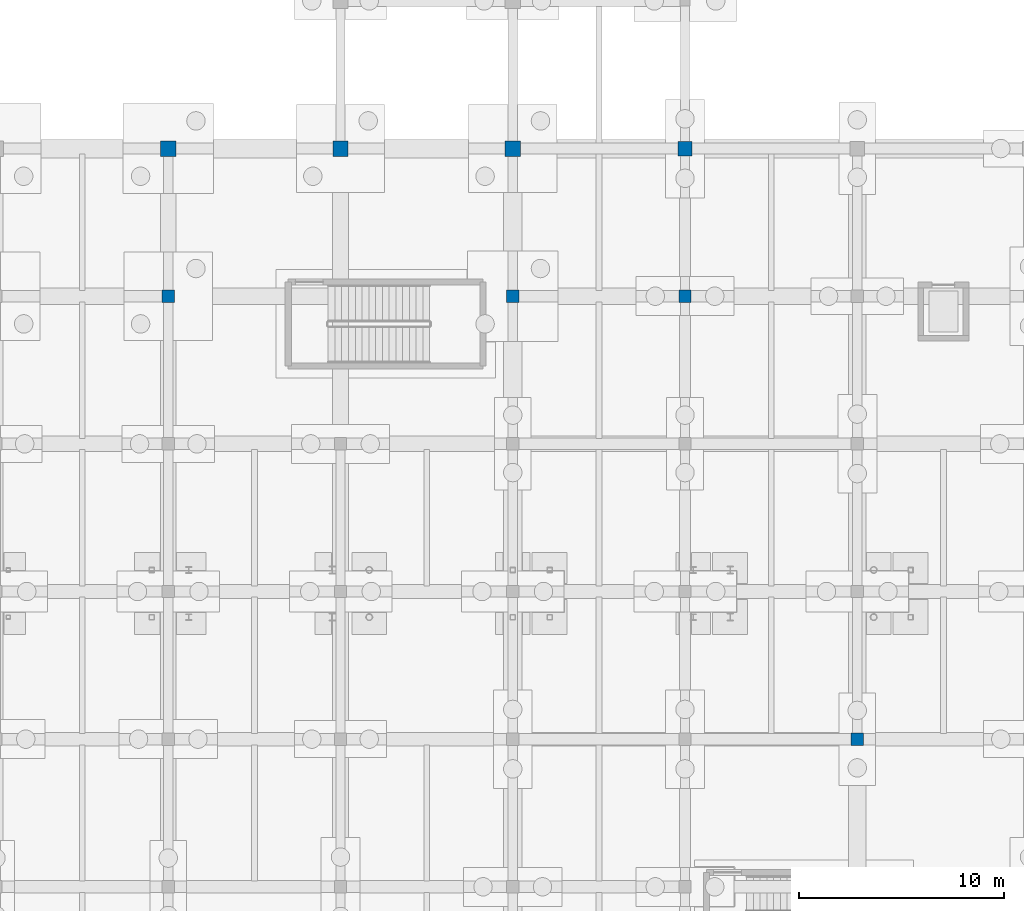
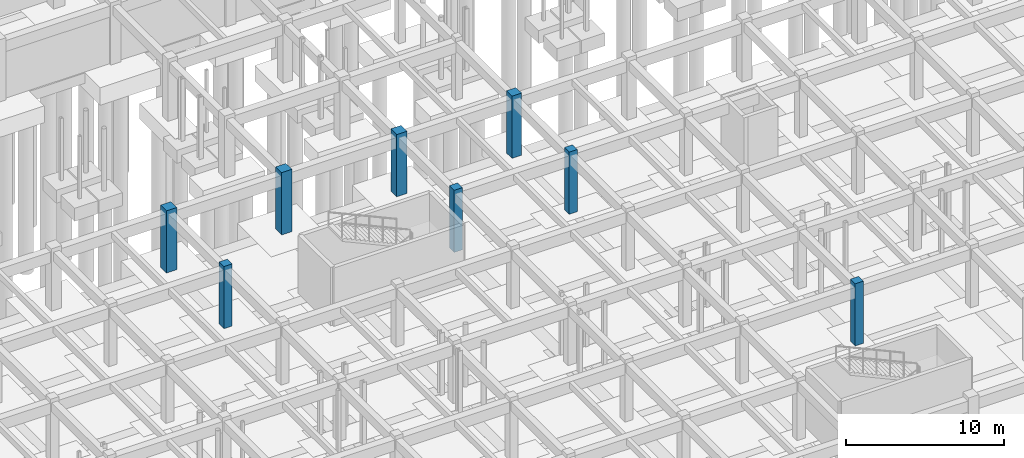
# One storey, part 35 of 80: 8 columns.
"""IFC4 building model written with IfcOpenShell, lengths in metres."""

from ifc_helpers import new_model, si_unit, direction, frame, origin, origin_2d, place, context, subcontext, project, spatial, rectangle, extrude, material, material_profile, profile_set, type_object, element, save


model = new_model("IFC4")

# Units and contexts
model_context = context("Model", 3, precision=1e-05, world=origin(), true_north=direction((0.0, 1.0)))
body_context = subcontext(model_context, "Body", "Model", "MODEL_VIEW")
ifc_project = project(units=[si_unit("LENGTHUNIT", "METRE"), si_unit("AREAUNIT", "SQUARE_METRE"), si_unit("VOLUMEUNIT", "CUBIC_METRE"), si_unit("PLANEANGLEUNIT", "RADIAN"), si_unit("MASSUNIT", "GRAM", prefix="KILO")], contexts=[model_context])

# Site, building, storey
site_placement = place(None, origin())
site = spatial("IfcSite", under=ifc_project, at=site_placement, CompositionType="ELEMENT")
building_placement = place(site_placement, origin())
building = spatial("IfcBuilding", under=site, at=building_placement, Name="Malvenik Polytechnic", CompositionType="ELEMENT")
storey_placement = place(building_placement, frame((0.0, 0.0, -4.800048828125)))
storey = spatial("IfcBuildingStorey", under=building, at=storey_placement, Name="B1", CompositionType="ELEMENT", Elevation=-4.800048828125)

# Columns
ifc_material_1 = material(Name="Concrete C40/50", Category="concrete")
ifc_material_profile_1 = material_profile(ifc_material_1, rectangle(XDim=0.75, YDim=0.75, at=origin_2d()), Name="RC COL 750x750")
ifc_profile_set_1 = profile_set([ifc_material_profile_1], Name="Concrete C40/50")
column_type_1 = type_object("IfcColumnType", Name="STR-COL-C-03", PredefinedType="COLUMN", material=ifc_profile_set_1)
for number, where, z_axis, x_axis, name in (
    (1, (67.199951171875, 93.60009765625, 0.0), (0.0, 0.0, 1.0), (1.0, 0.0, 0.0), "Column C-03 B1 (67.2,93.6)"),
    (2, (75.60009765625, 93.60009765625, 0.0), (0.0, 0.0, 1.0), (1.0, 0.0, 0.0), "Column C-03 B1 (75.6,93.6)"),
    (3, (84.0, 93.60009765625, 0.0), (0.0, 0.0, 1.0), (1.0, 0.0, 0.0), "Column C-03 B1 (84.0,93.6)"),
):
    element("IfcColumn", number, at=place(storey_placement, frame(where, z_axis=z_axis, x_axis=x_axis)), inside=storey, type_object=column_type_1, Name=name, PredefinedType="COLUMN", context=body_context, shape_type="SweptSolid", body=[
        extrude(rectangle(XDim=0.75, YDim=0.75, at=origin_2d()), origin(), (0.0, 0.0, 1.0), 4.800048828125),
    ])
ifc_material_profile_2 = material_profile(ifc_material_1, rectangle(XDim=0.699951171875, YDim=0.699951171875, at=origin_2d()), Name="RC COL 700x700")
ifc_profile_set_2 = profile_set([ifc_material_profile_2], Name="Concrete C40/50")
column_type_2 = type_object("IfcColumnType", Name="STR-COL-C-04", PredefinedType="COLUMN", material=ifc_profile_set_2)
column_placement = place(storey_placement, frame((92.39990234375, 93.60009765625, 0.0), z_axis=(0.0, 0.0, 1.0), x_axis=(1.0, 0.0, 0.0)))
element("IfcColumn", 4, at=column_placement, inside=storey, type_object=column_type_2, Name="Column C-04 B1 (92.4,93.6)", PredefinedType="COLUMN", context=body_context, shape_type="SweptSolid", body=[
    extrude(rectangle(XDim=0.699951171875, YDim=0.699951171875, at=origin_2d()), origin(), (0.0, 0.0, 1.0), 4.800048828125),
])
ifc_material_2 = material(Name="Concrete C35/45", Category="concrete")
ifc_material_profile_3 = material_profile(ifc_material_2, rectangle(XDim=0.60009765625, YDim=0.60009765625, at=origin_2d()), Name="RC COL 600x600")
ifc_profile_set_3 = profile_set([ifc_material_profile_3], Name="Concrete C35/45")
column_type_3 = type_object("IfcColumnType", Name="STR-COL-C-06", PredefinedType="COLUMN", material=ifc_profile_set_3)
for number, where, z_axis, x_axis, name in (
    (5, (67.199951171875, 86.39990234375, 0.0), (0.0, 0.0, 1.0), (1.0, 0.0, 0.0), "Column C-06 B1 (67.2,86.4)"),
    (6, (84.0, 86.39990234375, 0.0), (0.0, 0.0, 1.0), (1.0, 0.0, 0.0), "Column C-06 B1 (84.0,86.4)"),
    (7, (92.39990234375, 86.39990234375, 0.0), (0.0, 0.0, 1.0), (1.0, 0.0, 0.0), "Column C-06 B1 (92.4,86.4)"),
    (8, (100.800048828125, 64.800048828125, 0.0), (0.0, 0.0, 1.0), (1.0, 0.0, 0.0), "Column C-06 B1 (100.8,64.8)"),
):
    element("IfcColumn", number, at=place(storey_placement, frame(where, z_axis=z_axis, x_axis=x_axis)), inside=storey, type_object=column_type_3, Name=name, PredefinedType="COLUMN", context=body_context, shape_type="SweptSolid", body=[
        extrude(rectangle(XDim=0.60009765625, YDim=0.60009765625, at=origin_2d()), origin(), (0.0, 0.0, 1.0), 4.800048828125),
    ])

save(model, "model.ifc")
